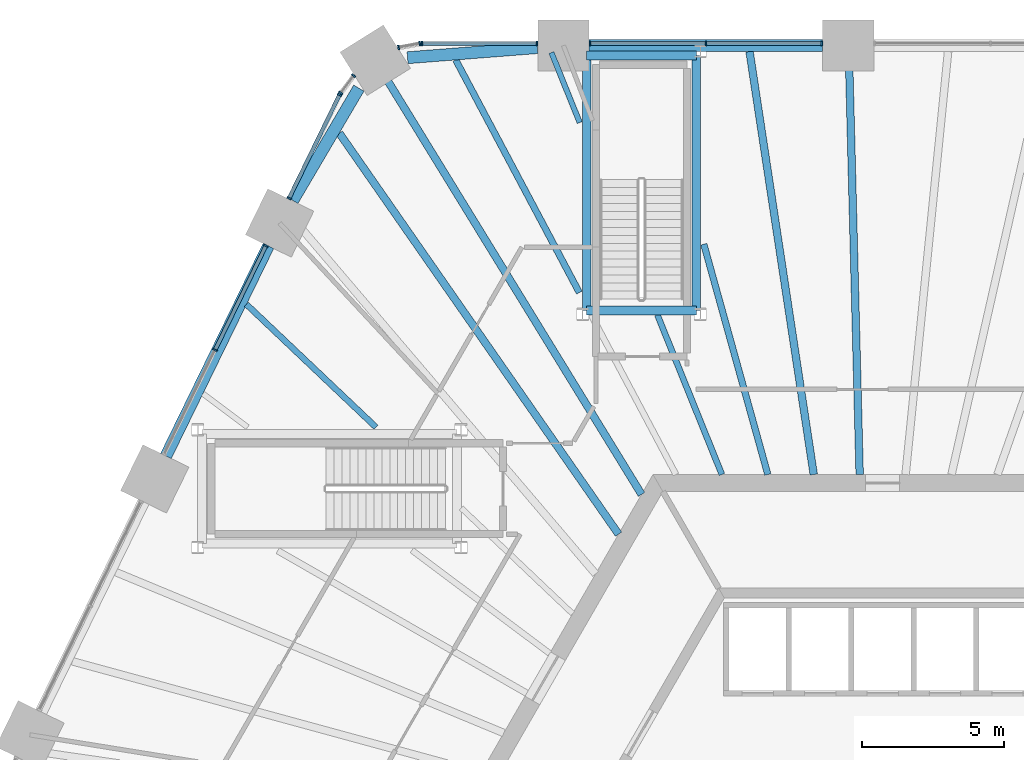
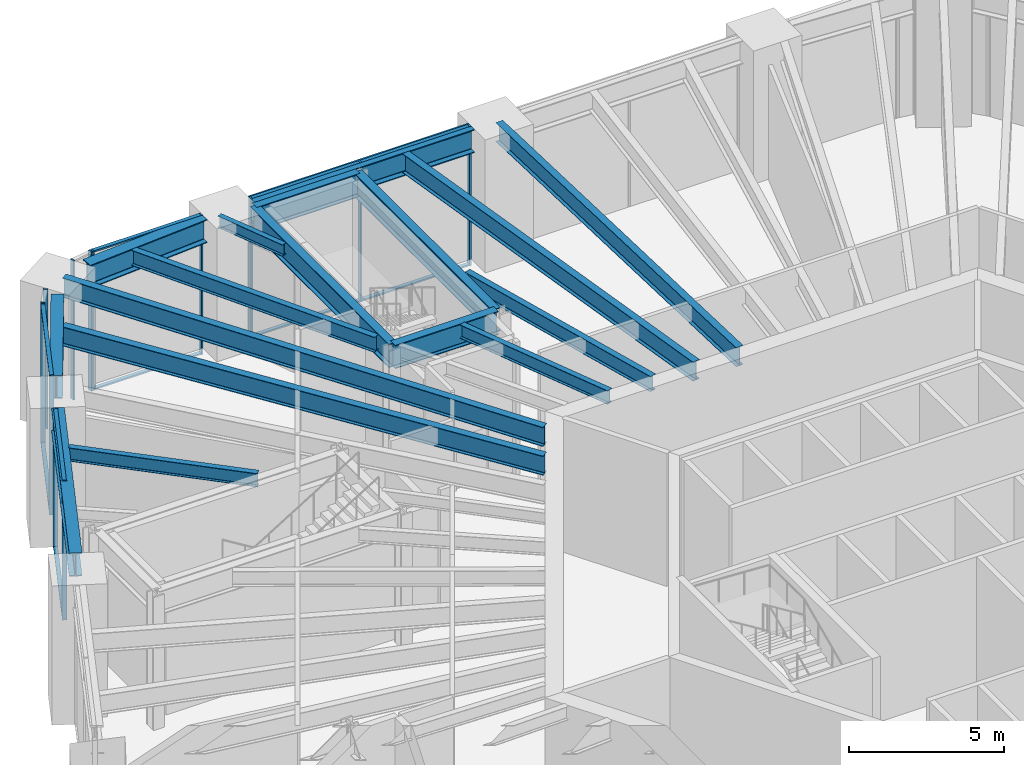
# One storey, part 8 of 30: 23 members, 17 beams, 6 elements without a shape of their own.
"""IFC4 building model written with IfcOpenShell, lengths in metres."""

from ifc_helpers import new_model, si_unit, direction, frame, origin, origin_2d, place, context, subcontext, project, spatial, rectangle, i_section, extrude, material, material_profile, profile_set, type_object, element, aggregate, save


model = new_model("IFC4")

# Units and contexts
model_context = context("Model", 3, precision=1e-05, world=origin(), true_north=direction((0.0, 1.0)))
body_context = subcontext(model_context, "Body", "Model", "MODEL_VIEW")
ifc_project = project(units=[si_unit("LENGTHUNIT", "METRE"), si_unit("AREAUNIT", "SQUARE_METRE"), si_unit("VOLUMEUNIT", "CUBIC_METRE"), si_unit("PLANEANGLEUNIT", "RADIAN"), si_unit("MASSUNIT", "GRAM", prefix="KILO")], contexts=[model_context])

# Site, building, storey
site_placement = place(None, origin())
site = spatial("IfcSite", under=ifc_project, at=site_placement, CompositionType="ELEMENT")
building_placement = place(site_placement, origin())
building = spatial("IfcBuilding", under=site, at=building_placement, Name="Tarnside Tower", CompositionType="ELEMENT")
storey_placement = place(building_placement, frame((0.0, 0.0, 20.5)))
storey = spatial("IfcBuildingStorey", under=building, at=storey_placement, Name="L03", CompositionType="ELEMENT", Elevation=20.5)

# Beams
ifc_material_1 = material(Name="Steel S355", Category="steel")
ifc_material_profile_1 = material_profile(ifc_material_1, i_section(OverallWidth=0.18994140625, OverallDepth=0.453369140625, WebThickness=0.008544921875, FlangeThickness=0.0126953125, FilletRadius=0.01025390625, at=origin_2d()), Name="UB 457x191x67")
ifc_profile_set_1 = profile_set([ifc_material_profile_1], Name="Steel S355")
beam_type_1 = type_object("IfcBeamType", Name="Floor beam UB 457x191x67", PredefinedType="BEAM", material=ifc_profile_set_1)
beam_1_placement = place(storey_placement, frame((-11.659912109375, 28.85595703125, 5.023193359375), z_axis=(0.374581275825, -0.927194083136, 0.0), x_axis=(0.927194083136, 0.374581275825, 0.0)))
element("IfcBeam", 1, at=beam_1_placement, inside=storey, type_object=beam_type_1, Name="Floor beam F1.08a", PredefinedType="BEAM", context=body_context, shape_type="SweptSolid", body=[
    extrude(i_section(OverallWidth=0.18994140625, OverallDepth=0.453369140625, WebThickness=0.008544921875, FlangeThickness=0.0126953125, FilletRadius=0.01025390625, at=origin_2d()), origin(), (0.0, 0.0, 1.0), 2.6630859375),
])
ifc_material_profile_2 = material_profile(ifc_material_1, i_section(OverallWidth=0.209228515625, OverallDepth=0.533203125, WebThickness=0.010009765625, FlangeThickness=0.015625, FilletRadius=0.0126953125, at=origin_2d()), Name="UB 533x210x92")
ifc_profile_set_2 = profile_set([ifc_material_profile_2], Name="Steel S355")
beam_type_2 = type_object("IfcBeamType", Name="Floor beam UB 533x210x92", PredefinedType="BEAM", material=ifc_profile_set_2)
beam_2_placement = place(storey_placement, frame((-7.929443359375, 19.622314453125, 4.9833984375), z_axis=(0.374595519169, -0.927188328776, 0.0), x_axis=(0.927188328776, 0.374595519169, 0.0)))
element("IfcBeam", 2, at=beam_2_placement, inside=storey, type_object=beam_type_2, Name="Floor beam F1.08b", PredefinedType="BEAM", context=body_context, shape_type="SweptSolid", body=[
    extrude(i_section(OverallWidth=0.209228515625, OverallDepth=0.533203125, WebThickness=0.010009765625, FlangeThickness=0.015625, FilletRadius=0.0126953125, at=origin_2d()), origin(), (0.0, 0.0, 1.0), 6.063720703125),
])
beam_3_placement = place(storey_placement, frame((-22.39404296875, 19.98779296875, 4.9833984375), z_axis=(0.725647269442, -0.688066886539, 0.0), x_axis=(0.688066886539, 0.725647269442, 0.0)))
element("IfcBeam", 3, at=beam_3_placement, inside=storey, type_object=beam_type_2, Name="Floor beam F2.03a", PredefinedType="BEAM", context=body_context, shape_type="SweptSolid", body=[
    extrude(i_section(OverallWidth=0.209228515625, OverallDepth=0.533203125, WebThickness=0.010009765625, FlangeThickness=0.015625, FilletRadius=0.0126953125, at=origin_2d()), origin(), (0.0, 0.0, 1.0), 6.2822265625),
])
ifc_material_profile_3 = material_profile(ifc_material_1, i_section(OverallWidth=0.2275390625, OverallDepth=0.6025390625, WebThickness=0.010498046875, FlangeThickness=0.014892578125, FilletRadius=0.0126953125, at=origin_2d()), Name="UB 610x229x101")
ifc_profile_set_3 = profile_set([ifc_material_profile_3], Name="Steel S355")
beam_type_3 = type_object("IfcBeamType", Name="Floor beam UB 610x229x101", PredefinedType="BEAM", material=ifc_profile_set_3)
beam_4_placement = place(storey_placement, frame((-6.294677734375, 22.1083984375, 4.94873046875), z_axis=(0.267736629204, -0.963492136648, 0.0), x_axis=(0.963492136648, 0.267736629204, 0.0)))
element("IfcBeam", 4, at=beam_4_placement, inside=storey, type_object=beam_type_3, Name="Floor beam F1.07", PredefinedType="BEAM", context=body_context, shape_type="SweptSolid", body=[
    extrude(i_section(OverallWidth=0.2275390625, OverallDepth=0.6025390625, WebThickness=0.010498046875, FlangeThickness=0.014892578125, FilletRadius=0.0126953125, at=origin_2d()), origin(), (0.0, 0.0, 1.0), 8.41552734375),
])
beam_5_placement = place(storey_placement, frame((-15.027587890625, 28.593505859375, 4.94873046875), z_axis=(0.469154584499, -0.883116060234, 0.0), x_axis=(0.883116060234, 0.469154584499, 0.0)))
element("IfcBeam", 5, at=beam_5_placement, inside=storey, type_object=beam_type_3, Name="Floor beam F1.09a", PredefinedType="BEAM", context=body_context, shape_type="SweptSolid", body=[
    extrude(i_section(OverallWidth=0.2275390625, OverallDepth=0.6025390625, WebThickness=0.010498046875, FlangeThickness=0.014892578125, FilletRadius=0.0126953125, at=origin_2d()), origin(), (0.0, 0.0, 1.0), 9.27587890625),
])
ifc_material_profile_4 = material_profile(ifc_material_1, i_section(OverallWidth=0.26513671875, OverallDepth=0.75390625, WebThickness=0.0126953125, FlangeThickness=0.017578125, FilletRadius=0.0166015625, at=origin_2d()), Name="UB 762x267x147")
ifc_profile_set_4 = profile_set([ifc_material_profile_4], Name="Steel S355")
beam_type_4 = type_object("IfcBeamType", Name="Floor beam UB 762x267x147", PredefinedType="BEAM", material=ifc_profile_set_4)
beam_6_placement = place(storey_placement, frame((-1.189697265625, 28.889892578125, 4.873046875), z_axis=(0.025602780317, -0.999672195092, 0.0), x_axis=(0.999672195092, 0.025602780317, 0.0)))
element("IfcBeam", 6, at=beam_6_placement, inside=storey, type_object=beam_type_4, Name="Floor beam F1.05", PredefinedType="BEAM", context=body_context, shape_type="SweptSolid", body=[
    extrude(i_section(OverallWidth=0.26513671875, OverallDepth=0.75390625, WebThickness=0.0126953125, FlangeThickness=0.017578125, FilletRadius=0.0166015625, at=origin_2d()), origin(), (0.0, 0.0, 1.0), 14.894775390625),
])
beam_7_placement = place(storey_placement, frame((-4.684326171875, 28.889892578125, 4.873046875), z_axis=(0.150031075445, -0.988681281506, 0.0), x_axis=(0.988681281506, 0.150031075445, 0.0)))
element("IfcBeam", 7, at=beam_7_placement, inside=storey, type_object=beam_type_4, Name="Floor beam F1.06", PredefinedType="BEAM", context=body_context, shape_type="SweptSolid", body=[
    extrude(i_section(OverallWidth=0.26513671875, OverallDepth=0.75390625, WebThickness=0.0126953125, FlangeThickness=0.017578125, FilletRadius=0.0166015625, at=origin_2d()), origin(), (0.0, 0.0, 1.0), 15.060302734375),
])
ifc_material_profile_5 = material_profile(ifc_material_1, i_section(OverallWidth=0.2666015625, OverallDepth=0.76220703125, WebThickness=0.014404296875, FlangeThickness=0.021484375, FilletRadius=0.0166015625, at=origin_2d()), Name="UB 762x267x173")
ifc_profile_set_5 = profile_set([ifc_material_profile_5], Name="Steel S355")
beam_type_5 = type_object("IfcBeamType", Name="Floor beam UB 762x267x173", PredefinedType="BEAM", material=ifc_profile_set_5)
beam_8_placement = place(storey_placement, frame((-17.7392578125, 28.375732421875, 4.868896484375), z_axis=(0.523065896899, -0.852292243014, 0.0), x_axis=(0.852292243014, 0.523065896899, 0.0)))
element("IfcBeam", 8, at=beam_8_placement, inside=storey, type_object=beam_type_5, Name="Floor beam C1", PredefinedType="BEAM", context=body_context, shape_type="SweptSolid", body=[
    extrude(i_section(OverallWidth=0.2666015625, OverallDepth=0.76220703125, WebThickness=0.014404296875, FlangeThickness=0.021484375, FilletRadius=0.0166015625, at=origin_2d()), origin(), (0.0, 0.0, 1.0), 17.6884765625),
])
beam_9_placement = place(storey_placement, frame((-19.12646484375, 26.0166015625, 4.868896484375), z_axis=(0.571485220827, -0.820612358167, 0.0), x_axis=(0.820612358167, 0.571485220827, 0.0)))
element("IfcBeam", 9, at=beam_9_placement, inside=storey, type_object=beam_type_5, Name="Floor beam F2.01", PredefinedType="BEAM", context=body_context, shape_type="SweptSolid", body=[
    extrude(i_section(OverallWidth=0.2666015625, OverallDepth=0.76220703125, WebThickness=0.014404296875, FlangeThickness=0.021484375, FilletRadius=0.0166015625, at=origin_2d()), origin(), (0.0, 0.0, 1.0), 17.20263671875),
])
ifc_material_profile_6 = material_profile(ifc_material_1, i_section(OverallWidth=0.3076171875, OverallDepth=0.926513671875, WebThickness=0.01953125, FlangeThickness=0.031982421875, FilletRadius=0.01904296875, at=origin_2d()), Name="UB 914x305x289")
ifc_profile_set_6 = profile_set([ifc_material_profile_6], Name="Steel S355")
beam_type_6 = type_object("IfcBeamType", Name="Perimeter girder UB 914x305x289", PredefinedType="BEAM", material=ifc_profile_set_6)
beam_10_placement = place(storey_placement, frame((-10.418701171875, 28.75390625, 4.78662109375), z_axis=(1.0, 0.0, 0.0), x_axis=(0.0, 1.0, 0.0)))
element("IfcBeam", 10, at=beam_10_placement, inside=storey, type_object=beam_type_6, Name="Perimeter girder T1", PredefinedType="BEAM", context=body_context, shape_type="SweptSolid", body=[
    extrude(i_section(OverallWidth=0.3076171875, OverallDepth=0.926513671875, WebThickness=0.01953125, FlangeThickness=0.031982421875, FilletRadius=0.01904296875, at=origin_2d()), origin(), (0.0, 0.0, 1.0), 3.85791015625),
])
beam_11_placement = place(storey_placement, frame((-6.560791015625, 28.75390625, 4.78662109375), z_axis=(0.0, -1.0, 0.0), x_axis=(1.0, 0.0, 0.0)))
element("IfcBeam", 11, at=beam_11_placement, inside=storey, type_object=beam_type_6, Name="Perimeter girder T2", PredefinedType="BEAM", context=body_context, shape_type="SweptSolid", body=[
    extrude(i_section(OverallWidth=0.3076171875, OverallDepth=0.926513671875, WebThickness=0.01953125, FlangeThickness=0.031982421875, FilletRadius=0.01904296875, at=origin_2d()), origin(), (0.0, 0.0, 1.0), 8.977783203125),
])
beam_12_placement = place(storey_placement, frame((-6.560791015625, 19.776123046875, 4.78662109375), z_axis=(-1.0, 0.0, 0.0), x_axis=(0.0, -1.0, 0.0)))
element("IfcBeam", 12, at=beam_12_placement, inside=storey, type_object=beam_type_6, Name="Perimeter girder T3", PredefinedType="BEAM", context=body_context, shape_type="SweptSolid", body=[
    extrude(i_section(OverallWidth=0.3076171875, OverallDepth=0.926513671875, WebThickness=0.01953125, FlangeThickness=0.031982421875, FilletRadius=0.01904296875, at=origin_2d()), origin(), (0.0, 0.0, 1.0), 3.85791015625),
])
beam_13_placement = place(storey_placement, frame((-10.418701171875, 19.776123046875, 4.78662109375), z_axis=(0.0, 1.0, 0.0), x_axis=(-1.0, 0.0, 0.0)))
element("IfcBeam", 13, at=beam_13_placement, inside=storey, type_object=beam_type_6, Name="Perimeter girder T4", PredefinedType="BEAM", context=body_context, shape_type="SweptSolid", body=[
    extrude(i_section(OverallWidth=0.3076171875, OverallDepth=0.926513671875, WebThickness=0.01953125, FlangeThickness=0.031982421875, FilletRadius=0.01904296875, at=origin_2d()), origin(), (0.0, 0.0, 1.0), 8.977783203125),
])
ifc_material_2 = material(Name="Steel S460", Category="steel")
ifc_material_profile_7 = material_profile(ifc_material_2, i_section(OverallWidth=0.42041015625, OverallDepth=0.9208984375, WebThickness=0.021484375, FlangeThickness=0.03662109375, FilletRadius=0.024169921875, at=origin_2d()), Name="UB 914x419x388")
ifc_profile_set_7 = profile_set([ifc_material_profile_7], Name="Steel S460")
beam_type_7 = type_object("IfcBeamType", Name="Perimeter girder UB 914x419x388", PredefinedType="BEAM", material=ifc_profile_set_7)
beam_14_placement = place(storey_placement, frame((-2.111083984375, 29.10009765625, 4.78955078125), z_axis=(-1.0, 0.0, 0.0), x_axis=(0.0, -1.0, 0.0)))
element("IfcBeam", 14, at=beam_14_placement, inside=storey, type_object=beam_type_7, Name="Perimeter girder M02", PredefinedType="BEAM", context=body_context, shape_type="SweptSolid", body=[
    extrude(i_section(OverallWidth=0.42041015625, OverallDepth=0.9208984375, WebThickness=0.021484375, FlangeThickness=0.03662109375, FilletRadius=0.024169921875, at=origin_2d()), origin(), (0.0, 0.0, 1.0), 8.2236328125),
])
beam_15_placement = place(storey_placement, frame((-12.152099609375, 29.028564453125, 4.78955078125), z_axis=(-0.996975045489, -0.077722317728, 0.0), x_axis=(0.077722317728, -0.996975045489, 0.0)))
element("IfcBeam", 15, at=beam_15_placement, inside=storey, type_object=beam_type_7, Name="Perimeter girder M03", PredefinedType="BEAM", context=body_context, shape_type="SweptSolid", body=[
    extrude(i_section(OverallWidth=0.42041015625, OverallDepth=0.9208984375, WebThickness=0.021484375, FlangeThickness=0.03662109375, FilletRadius=0.024169921875, at=origin_2d()), origin(), (0.0, 0.0, 1.0), 4.586181640625),
])
beam_16_placement = place(storey_placement, frame((-18.438720703125, 27.600830078125, 4.78955078125), z_axis=(-0.506929396531, -0.861987579338, 0.0), x_axis=(0.861987579338, -0.506929396531, 0.0)))
element("IfcBeam", 16, at=beam_16_placement, inside=storey, type_object=beam_type_7, Name="Perimeter girder M04", PredefinedType="BEAM", context=body_context, shape_type="SweptSolid", body=[
    extrude(i_section(OverallWidth=0.42041015625, OverallDepth=0.9208984375, WebThickness=0.021484375, FlangeThickness=0.03662109375, FilletRadius=0.024169921875, at=origin_2d()), origin(), (0.0, 0.0, 1.0), 4.58642578125),
])
beam_17_placement = place(storey_placement, frame((-21.62451171875, 22.04541015625, 4.78955078125), z_axis=(-0.438368649743, -0.898795264186, 0.0), x_axis=(0.898795264186, -0.438368649743, 0.0)))
element("IfcBeam", 17, at=beam_17_placement, inside=storey, type_object=beam_type_7, Name="Perimeter girder M05", PredefinedType="BEAM", context=body_context, shape_type="SweptSolid", body=[
    extrude(i_section(OverallWidth=0.42041015625, OverallDepth=0.9208984375, WebThickness=0.021484375, FlangeThickness=0.03662109375, FilletRadius=0.024169921875, at=origin_2d()), origin(), (0.0, 0.0, 1.0), 8.2236328125),
])

# Curtain wall, members
ifc_material_3 = material(Name="Retail shopfront glazing wall", Category="glass")
curtain_wall_type = type_object("IfcCurtainWallType", Name="Retail shopfront glazing wall", PredefinedType="NOTDEFINED", material=ifc_material_3)
curtain_wall_1_placement = place(storey_placement, origin())
curtain_wall_1 = element("IfcCurtainWall", 18, at=curtain_wall_1_placement, inside=storey, type_object=curtain_wall_type, Name="Retail shopfront glazing L03 01.0", PredefinedType="NOTDEFINED")
ifc_material_4 = material(Name="Aluminium alloy 6063", Category="aluminium")
ifc_material_profile_8 = material_profile(ifc_material_4, rectangle(XDim=0.159912109375, YDim=0.06005859375, at=origin_2d()), Name="Retail shopfront glazing mullion 60 x 160")
ifc_profile_set_8 = profile_set([ifc_material_profile_8], Name="Aluminium alloy 6063")
member_type_1 = type_object("IfcMemberType", Name="Retail shopfront glazing mullion 60 x 160", PredefinedType="MULLION", material=ifc_profile_set_8)
member_1_placement = place(storey_placement, frame((-2.14111328125, 29.179931640625, -0.25), z_axis=(0.0, 0.0, 1.0), x_axis=(0.0, -1.0, 0.0)))
member_1 = element("IfcMember", 19, at=member_1_placement, type_object=member_type_1, Name="CW2 mullion 1", PredefinedType="MULLION", context=body_context, shape_type="SweptSolid", body=[
    extrude(rectangle(XDim=0.159912109375, YDim=0.06005859375, at=origin_2d()), origin(), (0.0, 0.0, 1.0), 5.5),
])
member_2_placement = place(storey_placement, frame((-6.222900390625, 29.179931640625, -0.25), z_axis=(0.0, 0.0, 1.0), x_axis=(0.0, -1.0, 0.0)))
member_2 = element("IfcMember", 20, at=member_2_placement, type_object=member_type_1, Name="CW2 mullion 2", PredefinedType="MULLION", context=body_context, shape_type="SweptSolid", body=[
    extrude(rectangle(XDim=0.159912109375, YDim=0.06005859375, at=origin_2d()), origin(), (0.0, 0.0, 1.0), 5.5),
])
member_3_placement = place(storey_placement, frame((-10.3046875, 29.179931640625, -0.25), z_axis=(0.0, 0.0, 1.0), x_axis=(0.0, -1.0, 0.0)))
member_3 = element("IfcMember", 21, at=member_3_placement, type_object=member_type_1, Name="CW2 mullion 3", PredefinedType="MULLION", context=body_context, shape_type="SweptSolid", body=[
    extrude(rectangle(XDim=0.159912109375, YDim=0.06005859375, at=origin_2d()), origin(), (0.0, 0.0, 1.0), 5.5),
])

curtain_wall_2_placement = place(storey_placement, origin())
curtain_wall_2 = element("IfcCurtainWall", 22, at=curtain_wall_2_placement, inside=storey, type_object=curtain_wall_type, Name="Retail shopfront glazing L03 02.0", PredefinedType="NOTDEFINED")
member_4_placement = place(storey_placement, frame((-12.164794921875, 29.179931640625, -0.25), z_axis=(0.0, 0.0, 1.0), x_axis=(0.0, -1.0, 0.0)))
member_4 = element("IfcMember", 23, at=member_4_placement, type_object=member_type_1, Name="CW2 mullion 1", PredefinedType="MULLION", context=body_context, shape_type="SweptSolid", body=[
    extrude(rectangle(XDim=0.159912109375, YDim=0.06005859375, at=origin_2d()), origin(), (0.0, 0.0, 1.0), 5.5),
])
member_5_placement = place(storey_placement, frame((-16.216552734375, 29.179931640625, -0.25), z_axis=(0.0, 0.0, 1.0), x_axis=(0.0, -1.0, 0.0)))
member_5 = element("IfcMember", 24, at=member_5_placement, type_object=member_type_1, Name="CW2 mullion 2", PredefinedType="MULLION", context=body_context, shape_type="SweptSolid", body=[
    extrude(rectangle(XDim=0.159912109375, YDim=0.06005859375, at=origin_2d()), origin(), (0.0, 0.0, 1.0), 5.5),
])

curtain_wall_3_placement = place(storey_placement, origin())
curtain_wall_3 = element("IfcCurtainWall", 25, at=curtain_wall_3_placement, inside=storey, type_object=curtain_wall_type, Name="Retail shopfront glazing L03 02.1", PredefinedType="NOTDEFINED")
member_6_placement = place(storey_placement, frame((-16.290771484375, 29.173095703125, -0.25), z_axis=(0.0, 0.0, 1.0), x_axis=(0.185094923925, -0.982720646541, 0.0)))
member_6 = element("IfcMember", 26, at=member_6_placement, type_object=member_type_1, Name="CW2 mullion 1", PredefinedType="MULLION", context=body_context, shape_type="SweptSolid", body=[
    extrude(rectangle(XDim=0.159912109375, YDim=0.06005859375, at=origin_2d()), origin(), (0.0, 0.0, 1.0), 5.5),
])
member_7_placement = place(storey_placement, frame((-17.0390625, 29.0322265625, -0.25), z_axis=(0.0, 0.0, 1.0), x_axis=(0.185094923925, -0.982720646541, 0.0)))
member_7 = element("IfcMember", 27, at=member_7_placement, type_object=member_type_1, Name="CW2 mullion 2", PredefinedType="MULLION", context=body_context, shape_type="SweptSolid", body=[
    extrude(rectangle(XDim=0.159912109375, YDim=0.06005859375, at=origin_2d()), origin(), (0.0, 0.0, 1.0), 5.5),
])
aggregate(curtain_wall_3, [member_6, member_7])

curtain_wall_4_placement = place(storey_placement, origin())
curtain_wall_4 = element("IfcCurtainWall", 28, at=curtain_wall_4_placement, inside=storey, type_object=curtain_wall_type, Name="Retail shopfront glazing L03 03.0", PredefinedType="NOTDEFINED")
member_8_placement = place(storey_placement, frame((-18.62451171875, 28.04150390625, -0.25), z_axis=(0.0, 0.0, 1.0), x_axis=(0.802123192845, -0.597158591581, 0.0)))
member_8 = element("IfcMember", 29, at=member_8_placement, type_object=member_type_1, Name="CW2 mullion 1", PredefinedType="MULLION", context=body_context, shape_type="SweptSolid", body=[
    extrude(rectangle(XDim=0.159912109375, YDim=0.06005859375, at=origin_2d()), origin(), (0.0, 0.0, 1.0), 5.5),
])
member_9_placement = place(storey_placement, frame((-19.0791015625, 27.430908203125, -0.25), z_axis=(0.0, 0.0, 1.0), x_axis=(0.802123192845, -0.597158591581, 0.0)))
member_9 = element("IfcMember", 30, at=member_9_placement, type_object=member_type_1, Name="CW2 mullion 2", PredefinedType="MULLION", context=body_context, shape_type="SweptSolid", body=[
    extrude(rectangle(XDim=0.159912109375, YDim=0.06005859375, at=origin_2d()), origin(), (0.0, 0.0, 1.0), 5.5),
])
aggregate(curtain_wall_4, [member_8, member_9])

curtain_wall_5_placement = place(storey_placement, origin())
curtain_wall_5 = element("IfcCurtainWall", 31, at=curtain_wall_5_placement, inside=storey, type_object=curtain_wall_type, Name="Retail shopfront glazing L03 03.1", PredefinedType="NOTDEFINED")
member_10_placement = place(storey_placement, frame((-19.117919921875, 27.366943359375, -0.25), z_axis=(0.0, 0.0, 1.0), x_axis=(0.898794046314, -0.438371146758, 0.0)))
member_10 = element("IfcMember", 32, at=member_10_placement, type_object=member_type_1, Name="CW2 mullion 1", PredefinedType="MULLION", context=body_context, shape_type="SweptSolid", body=[
    extrude(rectangle(XDim=0.159912109375, YDim=0.06005859375, at=origin_2d()), origin(), (0.0, 0.0, 1.0), 5.5),
])
member_11_placement = place(storey_placement, frame((-20.89404296875, 23.725341796875, -0.25), z_axis=(0.0, 0.0, 1.0), x_axis=(0.898794046314, -0.438371146758, 0.0)))
member_11 = element("IfcMember", 33, at=member_11_placement, type_object=member_type_1, Name="CW2 mullion 2", PredefinedType="MULLION", context=body_context, shape_type="SweptSolid", body=[
    extrude(rectangle(XDim=0.159912109375, YDim=0.06005859375, at=origin_2d()), origin(), (0.0, 0.0, 1.0), 5.5),
])

curtain_wall_6_placement = place(storey_placement, origin())
curtain_wall_6 = element("IfcCurtainWall", 34, at=curtain_wall_6_placement, inside=storey, type_object=curtain_wall_type, Name="Retail shopfront glazing L03 04.0", PredefinedType="NOTDEFINED")
member_12_placement = place(storey_placement, frame((-21.70947265625, 22.053466796875, -0.25), z_axis=(0.0, 0.0, 1.0), x_axis=(0.898794046292, -0.438371146805, 0.0)))
member_12 = element("IfcMember", 35, at=member_12_placement, type_object=member_type_1, Name="CW2 mullion 1", PredefinedType="MULLION", context=body_context, shape_type="SweptSolid", body=[
    extrude(rectangle(XDim=0.159912109375, YDim=0.06005859375, at=origin_2d()), origin(), (0.0, 0.0, 1.0), 5.5),
])
member_13_placement = place(storey_placement, frame((-23.498779296875, 18.384765625, -0.25), z_axis=(0.0, 0.0, 1.0), x_axis=(0.898794046292, -0.438371146805, 0.0)))
member_13 = element("IfcMember", 36, at=member_13_placement, type_object=member_type_1, Name="CW2 mullion 2", PredefinedType="MULLION", context=body_context, shape_type="SweptSolid", body=[
    extrude(rectangle(XDim=0.159912109375, YDim=0.06005859375, at=origin_2d()), origin(), (0.0, 0.0, 1.0), 5.5),
])

# Member
ifc_material_profile_9 = material_profile(ifc_material_4, rectangle(XDim=0.139892578125, YDim=0.06005859375, at=origin_2d()), Name="Retail shopfront glazing transom 60 x 140")
ifc_profile_set_9 = profile_set([ifc_material_profile_9], Name="Aluminium alloy 6063")
member_type_2 = type_object("IfcMemberType", Name="Retail shopfront glazing transom 60 x 140", PredefinedType="USERDEFINED", material=ifc_profile_set_9)
member_14_placement = place(storey_placement, frame((-2.171142578125, 29.179931640625, -0.219970703125), z_axis=(-1.0, 0.0, 0.0), x_axis=(0.0, -1.0, 0.0)))
member_14 = element("IfcMember", 37, at=member_14_placement, type_object=member_type_2, Name="CW2 transom 1.1", ObjectType="TRANSOM", PredefinedType="USERDEFINED", context=body_context, shape_type="SweptSolid", body=[
    extrude(rectangle(XDim=0.139892578125, YDim=0.06005859375, at=origin_2d()), origin(), (0.0, 0.0, 1.0), 4.021728515625),
])

member_15_placement = place(storey_placement, frame((-2.171142578125, 29.179931640625, 5.219970703125), z_axis=(-1.0, 0.0, 0.0), x_axis=(0.0, -1.0, 0.0)))
member_15 = element("IfcMember", 38, at=member_15_placement, type_object=member_type_2, Name="CW2 transom 1.2", ObjectType="TRANSOM", PredefinedType="USERDEFINED", context=body_context, shape_type="SweptSolid", body=[
    extrude(rectangle(XDim=0.139892578125, YDim=0.06005859375, at=origin_2d()), origin(), (0.0, 0.0, 1.0), 4.021728515625),
])

member_16_placement = place(storey_placement, frame((-6.2529296875, 29.179931640625, -0.219970703125), z_axis=(-1.0, 0.0, 0.0), x_axis=(0.0, -1.0, 0.0)))
member_16 = element("IfcMember", 39, at=member_16_placement, type_object=member_type_2, Name="CW2 transom 2.1", ObjectType="TRANSOM", PredefinedType="USERDEFINED", context=body_context, shape_type="SweptSolid", body=[
    extrude(rectangle(XDim=0.139892578125, YDim=0.06005859375, at=origin_2d()), origin(), (0.0, 0.0, 1.0), 4.021728515625),
])

member_17_placement = place(storey_placement, frame((-6.2529296875, 29.179931640625, 5.219970703125), z_axis=(-1.0, 0.0, 0.0), x_axis=(0.0, -1.0, 0.0)))
member_17 = element("IfcMember", 40, at=member_17_placement, type_object=member_type_2, Name="CW2 transom 2.2", ObjectType="TRANSOM", PredefinedType="USERDEFINED", context=body_context, shape_type="SweptSolid", body=[
    extrude(rectangle(XDim=0.139892578125, YDim=0.06005859375, at=origin_2d()), origin(), (0.0, 0.0, 1.0), 4.021728515625),
])

aggregate(curtain_wall_1, [member_1, member_2, member_3, member_14, member_15, member_16, member_17])

member_18_placement = place(storey_placement, frame((-12.19482421875, 29.179931640625, -0.219970703125), z_axis=(-1.0, 0.0, 0.0), x_axis=(0.0, -1.0, 0.0)))
member_18 = element("IfcMember", 41, at=member_18_placement, type_object=member_type_2, Name="CW2 transom 1.1", ObjectType="TRANSOM", PredefinedType="USERDEFINED", context=body_context, shape_type="SweptSolid", body=[
    extrude(rectangle(XDim=0.139892578125, YDim=0.06005859375, at=origin_2d()), origin(), (0.0, 0.0, 1.0), 3.99169921875),
])

member_19_placement = place(storey_placement, frame((-12.19482421875, 29.179931640625, 5.219970703125), z_axis=(-1.0, 0.0, 0.0), x_axis=(0.0, -1.0, 0.0)))
member_19 = element("IfcMember", 42, at=member_19_placement, type_object=member_type_2, Name="CW2 transom 1.2", ObjectType="TRANSOM", PredefinedType="USERDEFINED", context=body_context, shape_type="SweptSolid", body=[
    extrude(rectangle(XDim=0.139892578125, YDim=0.06005859375, at=origin_2d()), origin(), (0.0, 0.0, 1.0), 3.99169921875),
])

aggregate(curtain_wall_2, [member_4, member_5, member_18, member_19])

member_20_placement = place(storey_placement, frame((-19.131103515625, 27.340087890625, -0.219970703125), z_axis=(-0.43833566611, -0.898811350516, 0.0), x_axis=(0.898811350516, -0.43833566611, 0.0)))
member_20 = element("IfcMember", 43, at=member_20_placement, type_object=member_type_2, Name="CW2 transom 1.1", ObjectType="TRANSOM", PredefinedType="USERDEFINED", context=body_context, shape_type="SweptSolid", body=[
    extrude(rectangle(XDim=0.139892578125, YDim=0.06005859375, at=origin_2d()), origin(), (0.0, 0.0, 1.0), 3.99169921875),
])

member_21_placement = place(storey_placement, frame((-19.131103515625, 27.340087890625, 5.219970703125), z_axis=(-0.43833566611, -0.898811350516, 0.0), x_axis=(0.898811350516, -0.43833566611, 0.0)))
member_21 = element("IfcMember", 44, at=member_21_placement, type_object=member_type_2, Name="CW2 transom 1.2", ObjectType="TRANSOM", PredefinedType="USERDEFINED", context=body_context, shape_type="SweptSolid", body=[
    extrude(rectangle(XDim=0.139892578125, YDim=0.06005859375, at=origin_2d()), origin(), (0.0, 0.0, 1.0), 3.99169921875),
])

aggregate(curtain_wall_5, [member_10, member_11, member_20, member_21])

member_22_placement = place(storey_placement, frame((-21.72265625, 22.026611328125, -0.219970703125), z_axis=(-0.438353065484, -0.898802864916, 0.0), x_axis=(0.898802864916, -0.438353065484, 0.0)))
member_22 = element("IfcMember", 45, at=member_22_placement, type_object=member_type_2, Name="CW2 transom 1.1", ObjectType="TRANSOM", PredefinedType="USERDEFINED", context=body_context, shape_type="SweptSolid", body=[
    extrude(rectangle(XDim=0.139892578125, YDim=0.06005859375, at=origin_2d()), origin(), (0.0, 0.0, 1.0), 4.021728515625),
])

member_23_placement = place(storey_placement, frame((-21.72265625, 22.026611328125, 5.219970703125), z_axis=(-0.438353065484, -0.898802864916, 0.0), x_axis=(0.898802864916, -0.438353065484, 0.0)))
member_23 = element("IfcMember", 46, at=member_23_placement, type_object=member_type_2, Name="CW2 transom 1.2", ObjectType="TRANSOM", PredefinedType="USERDEFINED", context=body_context, shape_type="SweptSolid", body=[
    extrude(rectangle(XDim=0.139892578125, YDim=0.06005859375, at=origin_2d()), origin(), (0.0, 0.0, 1.0), 4.021728515625),
])

aggregate(curtain_wall_6, [member_12, member_13, member_22, member_23])

save(model, "model.ifc")
